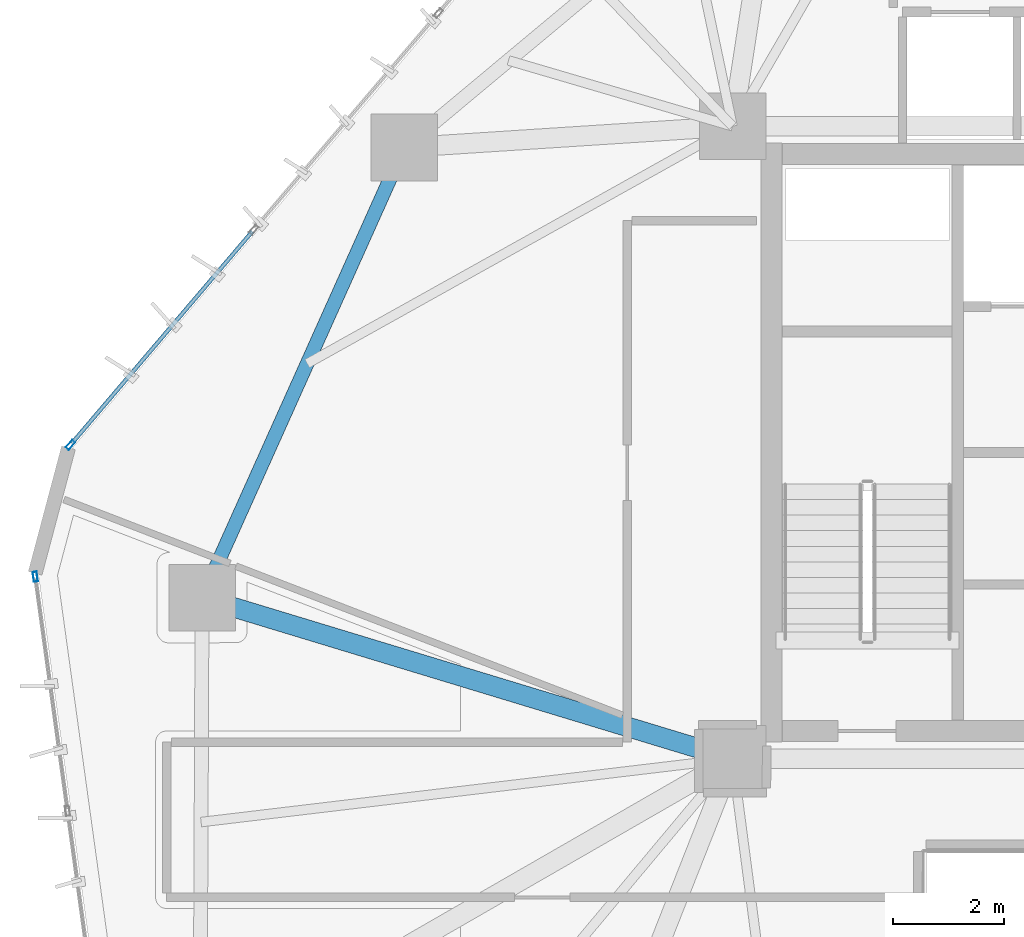
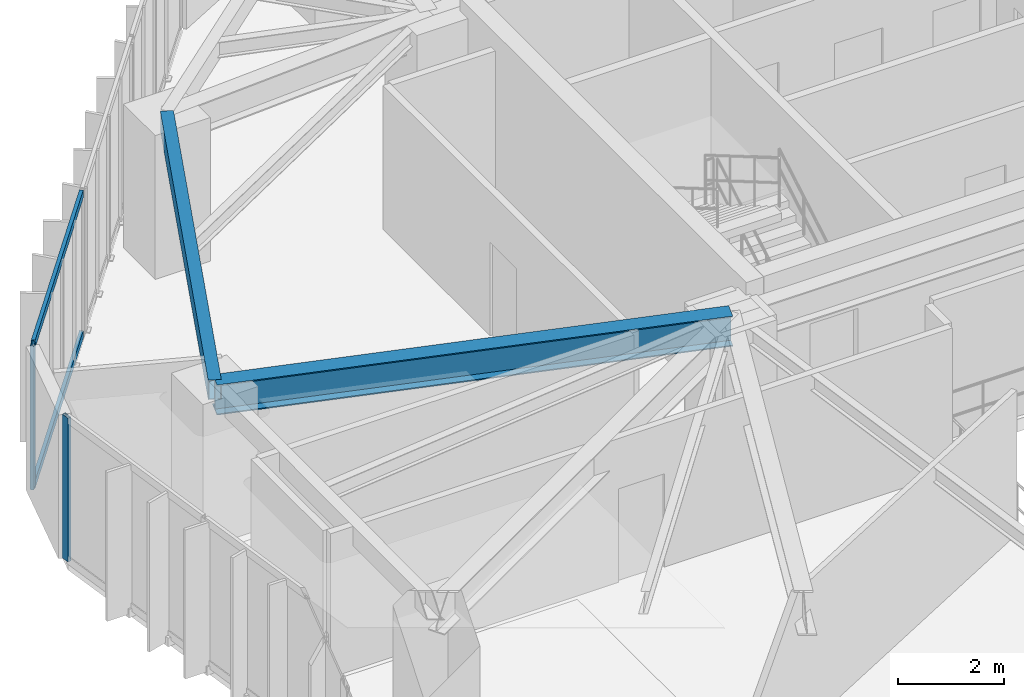
# One storey, part 9 of 22: 4 members, 2 beams, 2 elements without a shape of their own.
"""IFC4 building model written with IfcOpenShell, lengths in metres."""

import ifcopenshell
import ifcopenshell.guid

model = None  # the IFC model being written
_history = None  # IfcOwnerHistory: only IFC2X3 demands one
_inside = {}  # id of a spatial element -> (the spatial element, [elements in it])
_under = {}  # id of a project, library or spatial element -> (it, [spatial elements below it])
_declared = {}  # id of a project -> (the project, [libraries it declares])
_typed = {}  # id of a type object -> (the type object, [elements of that type])
_made_of = {}  # id of a material, layer set ... -> (it, [elements and type objects made of it])


def new_model(schema):
    """Start an empty IFC model of exactly this schema.

    Asked for "IFC4X3", IfcOpenShell would pick the latest addendum, in which some entities
    have other attributes; the version numbers below select the first issue.
    IFC2X3 requires an IfcOwnerHistory on every rooted entity: one is made here for all.
    """
    global model, _history
    if schema == "IFC4X3":
        model = ifcopenshell.file(schema_version=(4, 3, 0, 0))
    else:
        model = ifcopenshell.file(schema=schema)
    _inside.clear()
    _under.clear()
    _declared.clear()
    _typed.clear()
    _made_of.clear()
    _history = None
    if model.schema == "IFC2X3":
        org = make("IfcOrganization", Name="unknown")
        user = make(
            "IfcPersonAndOrganization",
            ThePerson=make("IfcPerson", FamilyName="unknown"),
            TheOrganization=org,
        )
        app = make(
            "IfcApplication",
            ApplicationDeveloper=org,
            Version="unknown",
            ApplicationFullName="unknown",
            ApplicationIdentifier="unknown",
        )
        _history = make(
            "IfcOwnerHistory",
            OwningUser=user,
            OwningApplication=app,
            ChangeAction="ADDED",
            CreationDate=0,
        )
    return model


def make(cls, **values):
    """One entity of the class cls with the attributes given. An attribute that is None is left unset."""
    return model.create_entity(
        cls, **{name: value for name, value in values.items() if value is not None}
    )


def rooted(cls, **values):
    """An entity with a GlobalId (a new one), such as an element, a storey or a relation."""
    return make(cls, GlobalId=ifcopenshell.guid.new(), OwnerHistory=_history, **values)


def si_unit(unit_type, name, prefix=None):
    """IfcSIUnit, for example si_unit("LENGTHUNIT", "METRE", prefix="MILLI")."""
    return make("IfcSIUnit", UnitType=unit_type, Prefix=prefix, Name=name)


def assignment(units):
    """IfcUnitAssignment: the units of a project."""
    return None if units is None else make("IfcUnitAssignment", Units=units)


def point(xyz):
    """IfcCartesianPoint."""
    return None if xyz is None else make("IfcCartesianPoint", Coordinates=xyz)


def direction(xyz):
    """IfcDirection."""
    return None if xyz is None else make("IfcDirection", DirectionRatios=xyz)


def frame(location, z_axis=None, x_axis=None):
    """IfcAxis2Placement3D, a coordinate frame: its origin and axes. An axis left out is left unset."""
    return make(
        "IfcAxis2Placement3D",
        Location=point(location),
        Axis=direction(z_axis),
        RefDirection=direction(x_axis),
    )


def frame_2d(location, x_axis=None):
    """IfcAxis2Placement2D, a coordinate frame in the plane: its origin and x axis."""
    return make(
        "IfcAxis2Placement2D", Location=point(location), RefDirection=direction(x_axis)
    )


def origin():
    """The frame at (0, 0, 0) with its axes left unset."""
    return frame((0.0, 0.0, 0.0))


def origin_2d():
    """The frame at (0, 0) in the plane with its x axis left unset."""
    return frame_2d((0.0, 0.0))


def place(relative_to, where):
    """IfcLocalPlacement: puts the frame where relative to a parent placement (None: the world)."""
    return make(
        "IfcLocalPlacement", PlacementRelTo=relative_to, RelativePlacement=where
    )


def context(
    kind, dimensions, precision=None, world=None, true_north=None, identifier=None
):
    """IfcGeometricRepresentationContext, for example the 3D "Model" context."""
    return make(
        "IfcGeometricRepresentationContext",
        ContextIdentifier=identifier,
        ContextType=kind,
        CoordinateSpaceDimension=dimensions,
        Precision=precision,
        WorldCoordinateSystem=world,
        TrueNorth=true_north,
    )


def subcontext(parent, identifier, kind, view, scale=None):
    """IfcGeometricRepresentationSubContext, for example "Body" below "Model"."""
    return make(
        "IfcGeometricRepresentationSubContext",
        ContextIdentifier=identifier,
        ContextType=kind,
        ParentContext=parent,
        TargetScale=scale,
        TargetView=view,
    )


def project(units=None, contexts=None):
    """IfcProject with its units and contexts."""
    return rooted(
        "IfcProject",
        Name="project",
        RepresentationContexts=contexts,
        UnitsInContext=assignment(units),
    )


def spatial(cls, under=None, at=None, **own):
    """A site, building, storey or space (cls), placed at a placement, below another one or the project."""
    s = rooted(cls, ObjectPlacement=at, **own)
    if under is not None:
        _under.setdefault(under.id(), (under, []))[1].append(s)
    return s


def profile(cls, at=None, kind="AREA", **sizes):
    """A parametric profile (cls). Its sizes go by their IFC names, for example OverallWidth=200.0."""
    return make(cls, ProfileType=kind, Position=at, **sizes)


def hollow_rectangle(**sizes):
    """IfcRectangleHollowProfileDef."""
    return profile("IfcRectangleHollowProfileDef", **sizes)


def i_section(**sizes):
    """IfcIShapeProfileDef."""
    return profile("IfcIShapeProfileDef", **sizes)


def extrude(swept, where, along, depth):
    """IfcExtrudedAreaSolid: the profile swept, set in the frame where, extruded along a direction by depth."""
    return make(
        "IfcExtrudedAreaSolid",
        SweptArea=swept,
        Position=where,
        ExtrudedDirection=direction(along),
        Depth=depth,
    )


def shape(context_of_items, identifier, shape_type, items):
    """IfcShapeRepresentation: the items that make up one representation, for example the "Body"."""
    return make(
        "IfcShapeRepresentation",
        ContextOfItems=context_of_items,
        RepresentationIdentifier=identifier,
        RepresentationType=shape_type,
        Items=items,
    )


def source(mapping_origin, context_of_items, identifier, shape_type, items):
    """IfcRepresentationMap: a shape defined once, which mapped items show again and again."""
    return make(
        "IfcRepresentationMap",
        MappingOrigin=mapping_origin,
        MappedRepresentation=shape(context_of_items, identifier, shape_type, items),
    )


def transform(
    local_origin,
    x_axis=None,
    y_axis=None,
    z_axis=None,
    scale=None,
    scale2=None,
    scale3=None,
    uniform=True,
):
    """IfcCartesianTransformationOperator3D, or its non-uniform kind. x_axis, y_axis, z_axis: its Axis1, 2, 3."""
    if uniform:
        return make(
            "IfcCartesianTransformationOperator3D",
            Axis1=direction(x_axis),
            Axis2=direction(y_axis),
            LocalOrigin=point(local_origin),
            Scale=scale,
            Axis3=direction(z_axis),
        )
    return make(
        "IfcCartesianTransformationOperator3DnonUniform",
        Axis1=direction(x_axis),
        Axis2=direction(y_axis),
        LocalOrigin=point(local_origin),
        Scale=scale,
        Axis3=direction(z_axis),
        Scale2=scale2,
        Scale3=scale3,
    )


def mapped(mapping_source, mapping_target):
    """IfcMappedItem: shows the shape of a source again, moved by a transform."""
    return make(
        "IfcMappedItem", MappingSource=mapping_source, MappingTarget=mapping_target
    )


def material(Name=None, Category=None):
    """IfcMaterial."""
    return make("IfcMaterial", Name=Name, Category=Category)


def layer(
    of_material, thickness, ventilated=None, Name=None, Category=None, Priority=None
):
    """IfcMaterialLayer: one layer of a wall or slab, of a material (None: an air gap)."""
    return make(
        "IfcMaterialLayer",
        Material=of_material,
        LayerThickness=thickness,
        IsVentilated=ventilated,
        Name=Name,
        Category=Category,
        Priority=Priority,
    )


def layer_set(layers, Name=None):
    """IfcMaterialLayerSet."""
    return make("IfcMaterialLayerSet", MaterialLayers=layers, LayerSetName=Name)


def material_profile(
    of_material, cross_section, Name=None, Category=None, Priority=None
):
    """IfcMaterialProfile: a cross section and its material."""
    return make(
        "IfcMaterialProfile",
        Name=Name,
        Material=of_material,
        Profile=cross_section,
        Priority=Priority,
        Category=Category,
    )


def profile_set(profiles, Name=None, composite=None):
    """IfcMaterialProfileSet."""
    return make(
        "IfcMaterialProfileSet",
        Name=Name,
        MaterialProfiles=profiles,
        CompositeProfile=composite,
    )


def made_of(thing, what):
    """Note that an element or type object is made of a material, layer set ...; save() writes the relation."""
    if what is not None:
        _made_of.setdefault(what.id(), (what, []))[1].append(thing)
    return thing


def type_object(cls, material=None, **own):
    """A type object (cls), such as IfcWallType, which elements share."""
    return made_of(rooted(cls, **own), material)


def type_shapes(of_type, sources):
    """Give a type object the sources (RepresentationMaps) that its elements show as mapped items."""
    of_type.RepresentationMaps = sources


def element(
    cls,
    number,
    at=None,
    inside=None,
    cuts=None,
    type_object=None,
    material=None,
    context=None,
    identifier="Body",
    shape_type=None,
    held_by="IfcProductDefinitionShape",
    body=None,
    shapes=None,
    **own,
):
    """One element of the class cls, such as IfcWall. Its Tag is "e" and its number.

    at: its placement. inside: the storey or other place that contains it. cuts: it is an
    opening in that element (IfcRelVoidsElement). A single representation is given by context,
    identifier, shape_type and body (its items); several are given by shapes. held_by: the class
    of the entity that holds the representations. save() writes the other relations.
    """
    e = rooted(cls, Tag="e%d" % number, ObjectPlacement=at, **own)
    if body is not None:
        shapes = [shape(context, identifier, shape_type, body)]
    if shapes is not None:
        e.Representation = make(held_by, Representations=shapes)
    if inside is not None:
        _inside.setdefault(inside.id(), (inside, []))[1].append(e)
    if cuts is not None:
        rooted(
            "IfcRelVoidsElement", RelatingBuildingElement=cuts, RelatedOpeningElement=e
        )
    if type_object is not None:
        _typed.setdefault(type_object.id(), (type_object, []))[1].append(e)
    return made_of(e, material)


def aggregate(whole, parts):
    """IfcRelAggregates: a whole, such as a stair, and the parts it consists of."""
    return rooted("IfcRelAggregates", RelatingObject=whole, RelatedObjects=parts)


def save(model, path):
    """Write the relations noted so far, then the file.

    IfcRelAggregates (storeys below a building ...), IfcRelContainedInSpatialStructure (elements
    in a storey), IfcRelDefinesByType, IfcRelAssociatesMaterial and IfcRelDeclares: one each for
    every whole, place, type object, material and project.
    """
    for whole, parts in _under.values():
        aggregate(whole, parts)
    for where, things in _inside.values():
        rooted(
            "IfcRelContainedInSpatialStructure",
            RelatedElements=things,
            RelatingStructure=where,
        )
    for kind, things in _typed.values():
        rooted("IfcRelDefinesByType", RelatedObjects=things, RelatingType=kind)
    for what, things in _made_of.values():
        rooted("IfcRelAssociatesMaterial", RelatedObjects=things, RelatingMaterial=what)
    for by, libraries in _declared.values():
        rooted("IfcRelDeclares", RelatingContext=by, RelatedDefinitions=libraries)
    model.write(path)


model = new_model("IFC4")

# Units and contexts
model_context = context("Model", 3, precision=1e-05, world=origin(), true_north=direction((0.0, 1.0)))
body_context = subcontext(model_context, "Body", "Model", "MODEL_VIEW")
ifc_project = project(units=[si_unit("LENGTHUNIT", "METRE"), si_unit("AREAUNIT", "SQUARE_METRE"), si_unit("VOLUMEUNIT", "CUBIC_METRE"), si_unit("PLANEANGLEUNIT", "RADIAN"), si_unit("MASSUNIT", "GRAM", prefix="KILO")], contexts=[model_context])

# Site, building, storey
site_placement = place(None, origin())
site = spatial("IfcSite", under=ifc_project, at=site_placement, CompositionType="ELEMENT")
building_placement = place(site_placement, origin())
building = spatial("IfcBuilding", under=site, at=building_placement, Name="Talar Marvaseh", CompositionType="ELEMENT")
storey_placement = place(building_placement, frame((0.0, 0.0, 107.39990234375)))
storey = spatial("IfcBuildingStorey", under=building, at=storey_placement, Name="L27", CompositionType="ELEMENT", Elevation=107.39990234375)

# Beams
ifc_material_1 = material(Name="Steel S355", Category="steel")
ifc_material_profile_1 = material_profile(ifc_material_1, hollow_rectangle(XDim=0.25, YDim=0.449951171875, WallThickness=0.01611328125, at=origin_2d()), Name="RHS450x250x16")
ifc_profile_set_1 = profile_set([ifc_material_profile_1], Name="Steel S355")
beam_type_1 = type_object("IfcBeamType", Name="Zone 2 Perimeter Spandrel Beam RHS450x250x16", PredefinedType="SPANDREL", material=ifc_profile_set_1)
beam_1_placement = place(storey_placement, frame((9.137939453125, 28.402099609375, 3.085205078125), z_axis=(0.409461733275, 0.912327292688, 0.0), x_axis=(-0.912327292688, 0.409461733275, 0.0)))
element("IfcBeam", 1, at=beam_1_placement, inside=storey, type_object=beam_type_1, Name="L27 Zone 2 Perimeter Spandrel Beam RHS450x250x16", PredefinedType="SPANDREL", context=body_context, shape_type="SweptSolid", body=[
    extrude(hollow_rectangle(XDim=0.25, YDim=0.449951171875, WallThickness=0.01611328125, at=origin_2d()), origin(), (0.0, 0.0, 1.0), 8.894775390625),
])
ifc_material_profile_2 = material_profile(ifc_material_1, i_section(OverallWidth=0.35498046875, OverallDepth=0.695068359375, WebThickness=0.015380859375, FlangeThickness=0.02490234375, at=origin_2d()), Name="W690x217")
ifc_profile_set_2 = profile_set([ifc_material_profile_2], Name="Steel S355")
beam_type_2 = type_object("IfcBeamType", Name="Zone 2 Radial Floor Girder W690x217", PredefinedType="BEAM", material=ifc_profile_set_2)
beam_2_placement = place(storey_placement, frame((9.137939453125, 28.402099609375, 2.962646484375), z_axis=(0.956898764921, -0.290421682546, 0.0), x_axis=(0.290421682546, 0.956898764921, 0.0)))
element("IfcBeam", 2, at=beam_2_placement, inside=storey, type_object=beam_type_2, Name="L27 Zone 2 Radial Floor Girder W690x217", PredefinedType="BEAM", context=body_context, shape_type="SweptSolid", body=[
    extrude(i_section(OverallWidth=0.35498046875, OverallDepth=0.695068359375, WebThickness=0.015380859375, FlangeThickness=0.02490234375, at=origin_2d()), origin(), (0.0, 0.0, 1.0), 9.99267578125),
])

# Curtain wall, member
ifc_material_2 = material(Name="Architectural Aluminium", Category="aluminium")
ifc_layer = layer(ifc_material_2, 0.199951171875)
ifc_layer_set = layer_set([ifc_layer], Name="Architectural Aluminium")
curtain_wall_type = type_object("IfcCurtainWallType", Name="Unitised Acoustic Library Curtain Wall Z2", PredefinedType="NOTDEFINED", material=ifc_layer_set)
curtain_wall_1_placement = place(storey_placement, origin())
curtain_wall_1 = element("IfcCurtainWall", 3, at=curtain_wall_1_placement, inside=storey, type_object=curtain_wall_type, Name="L27 Unitised Acoustic Library Curtain Wall Z2", PredefinedType="NOTDEFINED")
ifc_material_profile_3 = material_profile(ifc_material_2, hollow_rectangle(XDim=0.074951171875, YDim=0.179931640625, WallThickness=0.0048828125, at=origin_2d()), Name="RHS180x75x5")
ifc_profile_set_3 = profile_set([ifc_material_profile_3], Name="Architectural Aluminium")
member_type_1 = type_object("IfcMemberType", Name="Unitised Curtain Wall Standard Mullion RHS180x75x5", PredefinedType="MULLION", material=ifc_profile_set_3)
shared_shape_1 = source(origin(), body_context, "Body", "SweptSolid", [
    extrude(hollow_rectangle(XDim=0.074951171875, YDim=0.179931640625, WallThickness=0.0048828125, at=origin_2d()), origin(), (0.0, 0.0, 1.0), 3.31005859375),
])
type_shapes(member_type_1, [shared_shape_1])
member_1_placement = place(storey_placement, frame((6.131591796875, 28.78125, 0.0), z_axis=(0.0, 0.0, 1.0), x_axis=(-0.990638035886, -0.136514767906, 0.0)))
member_1 = element("IfcMember", 4, at=member_1_placement, type_object=member_type_1, Name="CW-Z2 mullion 5", PredefinedType="MULLION", context=body_context, shape_type="MappedRepresentation", body=[
    mapped(shared_shape_1, transform((0.0, 0.0, 0.0), x_axis=(1.0, 0.0, 0.0), y_axis=(0.0, 1.0, 0.0), z_axis=(0.0, 0.0, 1.0), scale=1.0)),
])
aggregate(curtain_wall_1, [member_1])

# Curtain wall, members
curtain_wall_2_placement = place(storey_placement, origin())
curtain_wall_2 = element("IfcCurtainWall", 5, at=curtain_wall_2_placement, inside=storey, type_object=curtain_wall_type, Name="L27 Unitised Acoustic Library Curtain Wall Z2", PredefinedType="NOTDEFINED")
member_2_placement = place(storey_placement, frame((6.765380859375, 31.15625, 0.0), z_axis=(0.0, 0.0, 1.0), x_axis=(-0.7611759874, 0.648545384847, 0.0)))
member_2 = element("IfcMember", 6, at=member_2_placement, type_object=member_type_1, Name="CW-Z2 mullion 1", PredefinedType="MULLION", context=body_context, shape_type="MappedRepresentation", body=[
    mapped(shared_shape_1, transform((0.0, 0.0, 0.0), x_axis=(1.0, 0.0, 0.0), y_axis=(0.0, 1.0, 0.0), z_axis=(0.0, 0.0, 1.0), scale=1.0)),
])
ifc_material_profile_4 = material_profile(ifc_material_2, hollow_rectangle(XDim=0.074951171875, YDim=0.179931640625, WallThickness=0.0048828125, at=origin_2d()), Name="RHS180x75x5")
ifc_profile_set_4 = profile_set([ifc_material_profile_4], Name="Architectural Aluminium")
member_type_2 = type_object("IfcMemberType", Name="Unitised Curtain Wall Transom RHS180x75x5", PredefinedType="USERDEFINED", material=ifc_profile_set_4)
shared_shape_2 = source(origin(), body_context, "Body", "SweptSolid", [
    extrude(hollow_rectangle(XDim=0.074951171875, YDim=0.179931640625, WallThickness=0.0048828125, at=origin_2d()), origin(), (0.0, 0.0, 1.0), 5.017578125),
])
type_shapes(member_type_2, [shared_shape_2])
member_3_placement = place(storey_placement, frame((6.789794921875, 31.184814453125, 0.03759765625), z_axis=(0.648540597388, 0.761180066436, 0.0), x_axis=(-0.761180066436, 0.648540597388, 0.0)))
member_3 = element("IfcMember", 7, at=member_3_placement, type_object=member_type_2, Name="CW-Z2 transom 1.1", ObjectType="TRANSOM", PredefinedType="USERDEFINED", context=body_context, shape_type="MappedRepresentation", body=[
    mapped(shared_shape_2, transform((0.0, 0.0, 0.0), x_axis=(1.0, 0.0, 0.0), y_axis=(0.0, 1.0, 0.0), z_axis=(0.0, 0.0, 1.0), scale=1.0)),
])
member_4_placement = place(storey_placement, frame((6.789794921875, 31.184814453125, 3.272705078125), z_axis=(0.648540597388, 0.761180066436, 0.0), x_axis=(-0.761180066436, 0.648540597388, 0.0)))
member_4 = element("IfcMember", 8, at=member_4_placement, type_object=member_type_2, Name="CW-Z2 transom 1.2", ObjectType="TRANSOM", PredefinedType="USERDEFINED", context=body_context, shape_type="MappedRepresentation", body=[
    mapped(shared_shape_2, transform((0.0, 0.0, 0.0), x_axis=(1.0, 0.0, 0.0), y_axis=(0.0, 1.0, 0.0), z_axis=(0.0, 0.0, 1.0), scale=1.0)),
])
aggregate(curtain_wall_2, [member_2, member_3, member_4])

save(model, "model.ifc")
